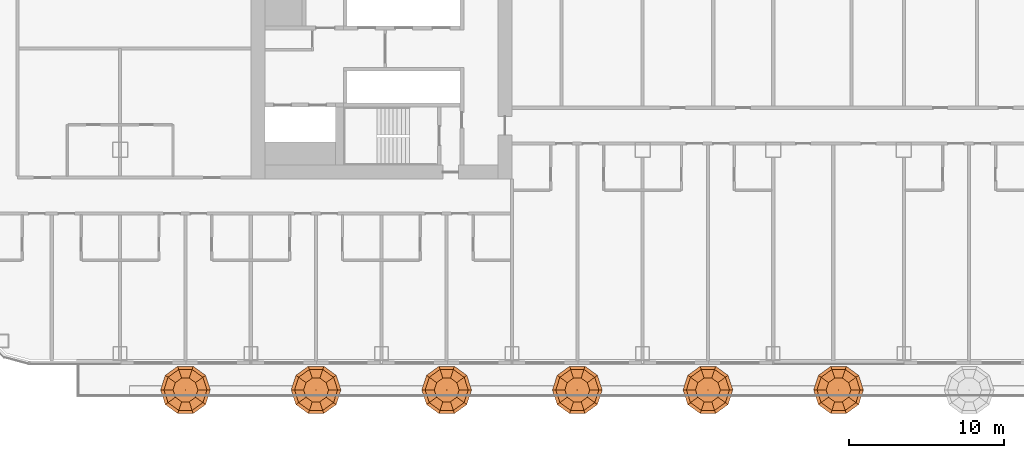
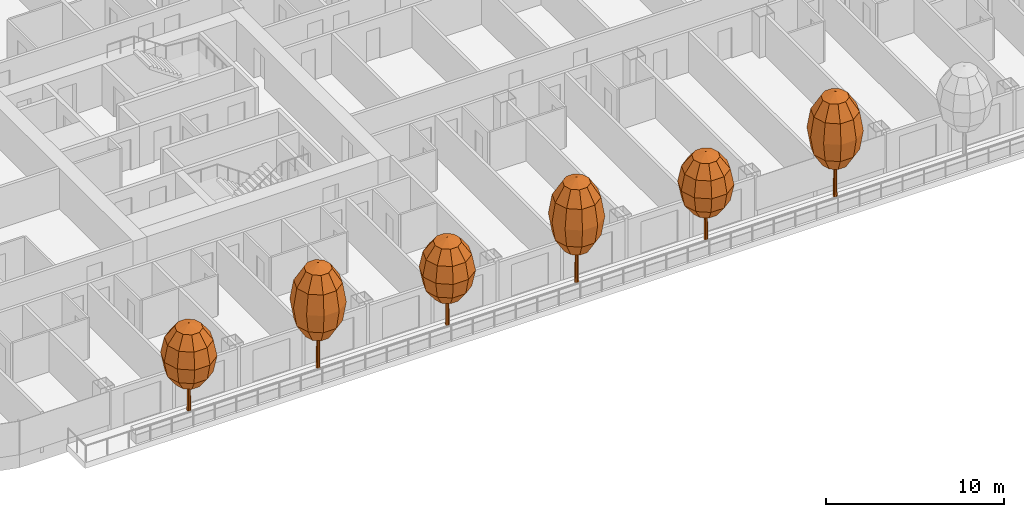
# One storey, part 34 of 37: 6 geographic elements.
"""IFC4 building model written with IfcOpenShell, lengths in metres."""

import ifcopenshell
import ifcopenshell.guid

model = None  # the IFC model being written
_history = None  # IfcOwnerHistory: only IFC2X3 demands one
_inside = {}  # id of a spatial element -> (the spatial element, [elements in it])
_under = {}  # id of a project, library or spatial element -> (it, [spatial elements below it])
_declared = {}  # id of a project -> (the project, [libraries it declares])
_typed = {}  # id of a type object -> (the type object, [elements of that type])
_made_of = {}  # id of a material, layer set ... -> (it, [elements and type objects made of it])


def new_model(schema):
    """Start an empty IFC model of exactly this schema.

    Asked for "IFC4X3", IfcOpenShell would pick the latest addendum, in which some entities
    have other attributes; the version numbers below select the first issue.
    IFC2X3 requires an IfcOwnerHistory on every rooted entity: one is made here for all.
    """
    global model, _history
    if schema == "IFC4X3":
        model = ifcopenshell.file(schema_version=(4, 3, 0, 0))
    else:
        model = ifcopenshell.file(schema=schema)
    _inside.clear()
    _under.clear()
    _declared.clear()
    _typed.clear()
    _made_of.clear()
    _history = None
    if model.schema == "IFC2X3":
        org = make("IfcOrganization", Name="unknown")
        user = make(
            "IfcPersonAndOrganization",
            ThePerson=make("IfcPerson", FamilyName="unknown"),
            TheOrganization=org,
        )
        app = make(
            "IfcApplication",
            ApplicationDeveloper=org,
            Version="unknown",
            ApplicationFullName="unknown",
            ApplicationIdentifier="unknown",
        )
        _history = make(
            "IfcOwnerHistory",
            OwningUser=user,
            OwningApplication=app,
            ChangeAction="ADDED",
            CreationDate=0,
        )
    return model


def make(cls, **values):
    """One entity of the class cls with the attributes given. An attribute that is None is left unset."""
    return model.create_entity(
        cls, **{name: value for name, value in values.items() if value is not None}
    )


def rooted(cls, **values):
    """An entity with a GlobalId (a new one), such as an element, a storey or a relation."""
    return make(cls, GlobalId=ifcopenshell.guid.new(), OwnerHistory=_history, **values)


def si_unit(unit_type, name, prefix=None):
    """IfcSIUnit, for example si_unit("LENGTHUNIT", "METRE", prefix="MILLI")."""
    return make("IfcSIUnit", UnitType=unit_type, Prefix=prefix, Name=name)


def assignment(units):
    """IfcUnitAssignment: the units of a project."""
    return None if units is None else make("IfcUnitAssignment", Units=units)


def point(xyz):
    """IfcCartesianPoint."""
    return None if xyz is None else make("IfcCartesianPoint", Coordinates=xyz)


def direction(xyz):
    """IfcDirection."""
    return None if xyz is None else make("IfcDirection", DirectionRatios=xyz)


def frame(location, z_axis=None, x_axis=None):
    """IfcAxis2Placement3D, a coordinate frame: its origin and axes. An axis left out is left unset."""
    return make(
        "IfcAxis2Placement3D",
        Location=point(location),
        Axis=direction(z_axis),
        RefDirection=direction(x_axis),
    )


def origin():
    """The frame at (0, 0, 0) with its axes left unset."""
    return frame((0.0, 0.0, 0.0))


def place(relative_to, where):
    """IfcLocalPlacement: puts the frame where relative to a parent placement (None: the world)."""
    return make(
        "IfcLocalPlacement", PlacementRelTo=relative_to, RelativePlacement=where
    )


def context(
    kind, dimensions, precision=None, world=None, true_north=None, identifier=None
):
    """IfcGeometricRepresentationContext, for example the 3D "Model" context."""
    return make(
        "IfcGeometricRepresentationContext",
        ContextIdentifier=identifier,
        ContextType=kind,
        CoordinateSpaceDimension=dimensions,
        Precision=precision,
        WorldCoordinateSystem=world,
        TrueNorth=true_north,
    )


def subcontext(parent, identifier, kind, view, scale=None):
    """IfcGeometricRepresentationSubContext, for example "Body" below "Model"."""
    return make(
        "IfcGeometricRepresentationSubContext",
        ContextIdentifier=identifier,
        ContextType=kind,
        ParentContext=parent,
        TargetScale=scale,
        TargetView=view,
    )


def project(units=None, contexts=None):
    """IfcProject with its units and contexts."""
    return rooted(
        "IfcProject",
        Name="project",
        RepresentationContexts=contexts,
        UnitsInContext=assignment(units),
    )


def spatial(cls, under=None, at=None, **own):
    """A site, building, storey or space (cls), placed at a placement, below another one or the project."""
    s = rooted(cls, ObjectPlacement=at, **own)
    if under is not None:
        _under.setdefault(under.id(), (under, []))[1].append(s)
    return s


def point_list(points):
    """IfcCartesianPointList2D or 3D."""
    cls = (
        "IfcCartesianPointList2D" if len(points[0]) == 2 else "IfcCartesianPointList3D"
    )
    return make(cls, CoordList=points)


def triangles(points, corners, closed=None, point_numbers=None):
    """IfcTriangulatedFaceSet: each triangle names its three corners, points numbered from 1."""
    return make(
        "IfcTriangulatedFaceSet",
        Coordinates=point_list(points),
        Closed=closed,
        CoordIndex=corners,
        PnIndex=point_numbers,
    )


def shape(context_of_items, identifier, shape_type, items):
    """IfcShapeRepresentation: the items that make up one representation, for example the "Body"."""
    return make(
        "IfcShapeRepresentation",
        ContextOfItems=context_of_items,
        RepresentationIdentifier=identifier,
        RepresentationType=shape_type,
        Items=items,
    )


def material(Name=None, Category=None):
    """IfcMaterial."""
    return make("IfcMaterial", Name=Name, Category=Category)


def made_of(thing, what):
    """Note that an element or type object is made of a material, layer set ...; save() writes the relation."""
    if what is not None:
        _made_of.setdefault(what.id(), (what, []))[1].append(thing)
    return thing


def type_object(cls, material=None, **own):
    """A type object (cls), such as IfcWallType, which elements share."""
    return made_of(rooted(cls, **own), material)


def element(
    cls,
    number,
    at=None,
    inside=None,
    cuts=None,
    type_object=None,
    material=None,
    context=None,
    identifier="Body",
    shape_type=None,
    held_by="IfcProductDefinitionShape",
    body=None,
    shapes=None,
    **own,
):
    """One element of the class cls, such as IfcWall. Its Tag is "e" and its number.

    at: its placement. inside: the storey or other place that contains it. cuts: it is an
    opening in that element (IfcRelVoidsElement). A single representation is given by context,
    identifier, shape_type and body (its items); several are given by shapes. held_by: the class
    of the entity that holds the representations. save() writes the other relations.
    """
    e = rooted(cls, Tag="e%d" % number, ObjectPlacement=at, **own)
    if body is not None:
        shapes = [shape(context, identifier, shape_type, body)]
    if shapes is not None:
        e.Representation = make(held_by, Representations=shapes)
    if inside is not None:
        _inside.setdefault(inside.id(), (inside, []))[1].append(e)
    if cuts is not None:
        rooted(
            "IfcRelVoidsElement", RelatingBuildingElement=cuts, RelatedOpeningElement=e
        )
    if type_object is not None:
        _typed.setdefault(type_object.id(), (type_object, []))[1].append(e)
    return made_of(e, material)


def aggregate(whole, parts):
    """IfcRelAggregates: a whole, such as a stair, and the parts it consists of."""
    return rooted("IfcRelAggregates", RelatingObject=whole, RelatedObjects=parts)


def save(model, path):
    """Write the relations noted so far, then the file.

    IfcRelAggregates (storeys below a building ...), IfcRelContainedInSpatialStructure (elements
    in a storey), IfcRelDefinesByType, IfcRelAssociatesMaterial and IfcRelDeclares: one each for
    every whole, place, type object, material and project.
    """
    for whole, parts in _under.values():
        aggregate(whole, parts)
    for where, things in _inside.values():
        rooted(
            "IfcRelContainedInSpatialStructure",
            RelatedElements=things,
            RelatingStructure=where,
        )
    for kind, things in _typed.values():
        rooted("IfcRelDefinesByType", RelatedObjects=things, RelatingType=kind)
    for what, things in _made_of.values():
        rooted("IfcRelAssociatesMaterial", RelatedObjects=things, RelatingMaterial=what)
    for by, libraries in _declared.values():
        rooted("IfcRelDeclares", RelatingContext=by, RelatedDefinitions=libraries)
    model.write(path)


model = new_model("IFC4")

# Units and contexts
model_context = context("Model", 3, precision=1e-05, world=origin(), true_north=direction((0.0, 1.0)))
body_context = subcontext(model_context, "Body", "Model", "MODEL_VIEW")
ifc_project = project(units=[si_unit("LENGTHUNIT", "METRE"), si_unit("AREAUNIT", "SQUARE_METRE"), si_unit("VOLUMEUNIT", "CUBIC_METRE"), si_unit("PLANEANGLEUNIT", "RADIAN"), si_unit("MASSUNIT", "GRAM", prefix="KILO")], contexts=[model_context])

# Site, building, storey
site_placement = place(None, origin())
site = spatial("IfcSite", under=ifc_project, at=site_placement, CompositionType="ELEMENT")
building_placement = place(site_placement, origin())
building = spatial("IfcBuilding", under=site, at=building_placement, Name="Hakoniwa Tower and Hamabe Station Hall", CompositionType="ELEMENT")
storey_placement = place(building_placement, frame((0.0, 0.0, 39.0)))
storey = spatial("IfcBuildingStorey", under=building, at=storey_placement, Name="L10", CompositionType="ELEMENT", Elevation=39.0)

# Geographic elements
ifc_material_1 = material(Name="Tree foliage")
geographic_element_type_1 = type_object("IfcGeographicElementType", Name="Japanese maple 7.2 m", PredefinedType="USERDEFINED", material=ifc_material_1)
geographic_element_1_placement = place(storey_placement, frame((-29.39990234375, -21.949951171875, 0.89990234375)))
element("IfcGeographicElement", 1, at=geographic_element_1_placement, inside=storey, type_object=geographic_element_type_1, Name="Japanese maple 7-2 m", ObjectType="TREE", PredefinedType="USERDEFINED", context=body_context, shape_type="Tessellation", body=[
    triangles([(0.125, 0.0, 0.0), (0.08837890625, 0.08837890625, 0.0), (0.0, 0.125, 0.0), (-0.08837890625, 0.08837890625, 0.0), (-0.125, 0.0, 0.0), (-0.08837890625, -0.08837890625, 0.0), (0.0, -0.125, 0.0), (0.08837890625, -0.08837890625, 0.0), (0.074951171875, 0.0, 4.348876953125), (0.052978515625, 0.052978515625, 4.348876953125), (0.0, 0.074951171875, 4.348876953125), (-0.052978515625, 0.052978515625, 4.348876953125), (-0.074951171875, 0.0, 4.348876953125), (-0.052978515625, -0.052978515625, 4.348876953125), (0.0, -0.074951171875, 4.348876953125), (0.052978515625, -0.052978515625, 4.348876953125), (0.0, 0.0, 0.0), (0.0, 0.0, 4.348876953125)], [[1, 2, 10], [1, 10, 9], [17, 2, 1], [18, 9, 10], [2, 3, 11], [2, 11, 10], [17, 3, 2], [18, 10, 11], [3, 4, 12], [3, 12, 11], [17, 4, 3], [18, 11, 12], [4, 5, 13], [4, 13, 12], [17, 5, 4], [18, 12, 13], [5, 6, 14], [5, 14, 13], [17, 6, 5], [18, 13, 14], [6, 7, 15], [6, 15, 14], [17, 7, 6], [18, 14, 15], [7, 8, 16], [7, 16, 15], [17, 8, 7], [18, 15, 16], [8, 1, 9], [8, 9, 16], [17, 1, 8], [18, 16, 9]], closed=True),
    triangles([(0.0, 0.0, 2.015869140625), (0.800048828125, 0.0, 2.36328125), (0.647216796875, 0.47021484375, 2.36328125), (0.247314453125, 0.7607421875, 2.36328125), (-0.247314453125, 0.7607421875, 2.36328125), (-0.647216796875, 0.47021484375, 2.36328125), (-0.800048828125, 0.0, 2.36328125), (-0.647216796875, -0.47021484375, 2.36328125), (-0.247314453125, -0.7607421875, 2.36328125), (0.247314453125, -0.7607421875, 2.36328125), (0.647216796875, -0.47021484375, 2.36328125), (1.385498046875, 0.0, 3.31201171875), (1.12109375, 0.814453125, 3.31201171875), (0.42822265625, 1.31787109375, 3.31201171875), (-0.42822265625, 1.31787109375, 3.31201171875), (-1.12109375, 0.814453125, 3.31201171875), (-1.385498046875, 0.0, 3.31201171875), (-1.12109375, -0.814453125, 3.31201171875), (-0.42822265625, -1.31787109375, 3.31201171875), (0.42822265625, -1.31787109375, 3.31201171875), (1.12109375, -0.814453125, 3.31201171875), (1.60009765625, 0.0, 4.60791015625), (1.29443359375, 0.9404296875, 4.60791015625), (0.494384765625, 1.521728515625, 4.60791015625), (-0.494384765625, 1.521728515625, 4.60791015625), (-1.29443359375, 0.9404296875, 4.60791015625), (-1.60009765625, 0.0, 4.60791015625), (-1.29443359375, -0.9404296875, 4.60791015625), (-0.494384765625, -1.521728515625, 4.60791015625), (0.494384765625, -1.521728515625, 4.60791015625), (1.29443359375, -0.9404296875, 4.60791015625), (1.385498046875, 0.0, 5.904052734375), (1.12109375, 0.814453125, 5.904052734375), (0.42822265625, 1.31787109375, 5.904052734375), (-0.42822265625, 1.31787109375, 5.904052734375), (-1.12109375, 0.814453125, 5.904052734375), (-1.385498046875, 0.0, 5.904052734375), (-1.12109375, -0.814453125, 5.904052734375), (-0.42822265625, -1.31787109375, 5.904052734375), (0.42822265625, -1.31787109375, 5.904052734375), (1.12109375, -0.814453125, 5.904052734375), (0.800048828125, 0.0, 6.852783203125), (0.647216796875, 0.47021484375, 6.852783203125), (0.247314453125, 0.7607421875, 6.852783203125), (-0.247314453125, 0.7607421875, 6.852783203125), (-0.647216796875, 0.47021484375, 6.852783203125), (-0.800048828125, 0.0, 6.852783203125), (-0.647216796875, -0.47021484375, 6.852783203125), (-0.247314453125, -0.7607421875, 6.852783203125), (0.247314453125, -0.7607421875, 6.852783203125), (0.647216796875, -0.47021484375, 6.852783203125), (0.0, 0.0, 7.199951171875)], [[1, 3, 2], [1, 4, 3], [1, 5, 4], [1, 6, 5], [1, 7, 6], [1, 8, 7], [1, 9, 8], [1, 10, 9], [1, 11, 10], [1, 2, 11], [2, 3, 13], [2, 13, 12], [3, 4, 14], [3, 14, 13], [4, 5, 15], [4, 15, 14], [5, 6, 16], [5, 16, 15], [6, 7, 17], [6, 17, 16], [7, 8, 18], [7, 18, 17], [8, 9, 19], [8, 19, 18], [9, 10, 20], [9, 20, 19], [10, 11, 21], [10, 21, 20], [11, 2, 12], [11, 12, 21], [12, 13, 23], [12, 23, 22], [13, 14, 24], [13, 24, 23], [14, 15, 25], [14, 25, 24], [15, 16, 26], [15, 26, 25], [16, 17, 27], [16, 27, 26], [17, 18, 28], [17, 28, 27], [18, 19, 29], [18, 29, 28], [19, 20, 30], [19, 30, 29], [20, 21, 31], [20, 31, 30], [21, 12, 22], [21, 22, 31], [22, 23, 33], [22, 33, 32], [23, 24, 34], [23, 34, 33], [24, 25, 35], [24, 35, 34], [25, 26, 36], [25, 36, 35], [26, 27, 37], [26, 37, 36], [27, 28, 38], [27, 38, 37], [28, 29, 39], [28, 39, 38], [29, 30, 40], [29, 40, 39], [30, 31, 41], [30, 41, 40], [31, 22, 32], [31, 32, 41], [32, 33, 43], [32, 43, 42], [33, 34, 44], [33, 44, 43], [34, 35, 45], [34, 45, 44], [35, 36, 46], [35, 46, 45], [36, 37, 47], [36, 47, 46], [37, 38, 48], [37, 48, 47], [38, 39, 49], [38, 49, 48], [39, 40, 50], [39, 50, 49], [40, 41, 51], [40, 51, 50], [41, 32, 42], [41, 42, 51], [52, 42, 43], [52, 43, 44], [52, 44, 45], [52, 45, 46], [52, 46, 47], [52, 47, 48], [52, 48, 49], [52, 49, 50], [52, 50, 51], [52, 51, 42]], closed=True),
])
geographic_element_2_placement = place(storey_placement, frame((-12.60009765625, -21.949951171875, 0.89990234375)))
element("IfcGeographicElement", 2, at=geographic_element_2_placement, inside=storey, type_object=geographic_element_type_1, Name="Japanese maple 7-2 m", ObjectType="TREE", PredefinedType="USERDEFINED", context=body_context, shape_type="Tessellation", body=[
    triangles([(0.125, 0.0, 0.0), (0.08837890625, 0.08837890625, 0.0), (0.0, 0.125, 0.0), (-0.08837890625, 0.08837890625, 0.0), (-0.125, 0.0, 0.0), (-0.08837890625, -0.08837890625, 0.0), (0.0, -0.125, 0.0), (0.08837890625, -0.08837890625, 0.0), (0.074951171875, 0.0, 4.348876953125), (0.052978515625, 0.052978515625, 4.348876953125), (0.0, 0.074951171875, 4.348876953125), (-0.052978515625, 0.052978515625, 4.348876953125), (-0.074951171875, 0.0, 4.348876953125), (-0.052978515625, -0.052978515625, 4.348876953125), (0.0, -0.074951171875, 4.348876953125), (0.052978515625, -0.052978515625, 4.348876953125), (0.0, 0.0, 0.0), (0.0, 0.0, 4.348876953125)], [[1, 2, 10], [1, 10, 9], [17, 2, 1], [18, 9, 10], [2, 3, 11], [2, 11, 10], [17, 3, 2], [18, 10, 11], [3, 4, 12], [3, 12, 11], [17, 4, 3], [18, 11, 12], [4, 5, 13], [4, 13, 12], [17, 5, 4], [18, 12, 13], [5, 6, 14], [5, 14, 13], [17, 6, 5], [18, 13, 14], [6, 7, 15], [6, 15, 14], [17, 7, 6], [18, 14, 15], [7, 8, 16], [7, 16, 15], [17, 8, 7], [18, 15, 16], [8, 1, 9], [8, 9, 16], [17, 1, 8], [18, 16, 9]], closed=True),
    triangles([(0.0, 0.0, 2.015869140625), (0.800048828125, 0.0, 2.36328125), (0.647216796875, 0.47021484375, 2.36328125), (0.247314453125, 0.7607421875, 2.36328125), (-0.247314453125, 0.7607421875, 2.36328125), (-0.647216796875, 0.47021484375, 2.36328125), (-0.800048828125, 0.0, 2.36328125), (-0.647216796875, -0.47021484375, 2.36328125), (-0.247314453125, -0.7607421875, 2.36328125), (0.247314453125, -0.7607421875, 2.36328125), (0.647216796875, -0.47021484375, 2.36328125), (1.385498046875, 0.0, 3.31201171875), (1.12109375, 0.814453125, 3.31201171875), (0.42822265625, 1.31787109375, 3.31201171875), (-0.42822265625, 1.31787109375, 3.31201171875), (-1.12109375, 0.814453125, 3.31201171875), (-1.385498046875, 0.0, 3.31201171875), (-1.12109375, -0.814453125, 3.31201171875), (-0.42822265625, -1.31787109375, 3.31201171875), (0.42822265625, -1.31787109375, 3.31201171875), (1.12109375, -0.814453125, 3.31201171875), (1.60009765625, 0.0, 4.60791015625), (1.29443359375, 0.9404296875, 4.60791015625), (0.494384765625, 1.521728515625, 4.60791015625), (-0.494384765625, 1.521728515625, 4.60791015625), (-1.29443359375, 0.9404296875, 4.60791015625), (-1.60009765625, 0.0, 4.60791015625), (-1.29443359375, -0.9404296875, 4.60791015625), (-0.494384765625, -1.521728515625, 4.60791015625), (0.494384765625, -1.521728515625, 4.60791015625), (1.29443359375, -0.9404296875, 4.60791015625), (1.385498046875, 0.0, 5.904052734375), (1.12109375, 0.814453125, 5.904052734375), (0.42822265625, 1.31787109375, 5.904052734375), (-0.42822265625, 1.31787109375, 5.904052734375), (-1.12109375, 0.814453125, 5.904052734375), (-1.385498046875, 0.0, 5.904052734375), (-1.12109375, -0.814453125, 5.904052734375), (-0.42822265625, -1.31787109375, 5.904052734375), (0.42822265625, -1.31787109375, 5.904052734375), (1.12109375, -0.814453125, 5.904052734375), (0.800048828125, 0.0, 6.852783203125), (0.647216796875, 0.47021484375, 6.852783203125), (0.247314453125, 0.7607421875, 6.852783203125), (-0.247314453125, 0.7607421875, 6.852783203125), (-0.647216796875, 0.47021484375, 6.852783203125), (-0.800048828125, 0.0, 6.852783203125), (-0.647216796875, -0.47021484375, 6.852783203125), (-0.247314453125, -0.7607421875, 6.852783203125), (0.247314453125, -0.7607421875, 6.852783203125), (0.647216796875, -0.47021484375, 6.852783203125), (0.0, 0.0, 7.199951171875)], [[1, 3, 2], [1, 4, 3], [1, 5, 4], [1, 6, 5], [1, 7, 6], [1, 8, 7], [1, 9, 8], [1, 10, 9], [1, 11, 10], [1, 2, 11], [2, 3, 13], [2, 13, 12], [3, 4, 14], [3, 14, 13], [4, 5, 15], [4, 15, 14], [5, 6, 16], [5, 16, 15], [6, 7, 17], [6, 17, 16], [7, 8, 18], [7, 18, 17], [8, 9, 19], [8, 19, 18], [9, 10, 20], [9, 20, 19], [10, 11, 21], [10, 21, 20], [11, 2, 12], [11, 12, 21], [12, 13, 23], [12, 23, 22], [13, 14, 24], [13, 24, 23], [14, 15, 25], [14, 25, 24], [15, 16, 26], [15, 26, 25], [16, 17, 27], [16, 27, 26], [17, 18, 28], [17, 28, 27], [18, 19, 29], [18, 29, 28], [19, 20, 30], [19, 30, 29], [20, 21, 31], [20, 31, 30], [21, 12, 22], [21, 22, 31], [22, 23, 33], [22, 33, 32], [23, 24, 34], [23, 34, 33], [24, 25, 35], [24, 35, 34], [25, 26, 36], [25, 36, 35], [26, 27, 37], [26, 37, 36], [27, 28, 38], [27, 38, 37], [28, 29, 39], [28, 39, 38], [29, 30, 40], [29, 40, 39], [30, 31, 41], [30, 41, 40], [31, 22, 32], [31, 32, 41], [32, 33, 43], [32, 43, 42], [33, 34, 44], [33, 44, 43], [34, 35, 45], [34, 45, 44], [35, 36, 46], [35, 46, 45], [36, 37, 47], [36, 47, 46], [37, 38, 48], [37, 48, 47], [38, 39, 49], [38, 49, 48], [39, 40, 50], [39, 50, 49], [40, 41, 51], [40, 51, 50], [41, 32, 42], [41, 42, 51], [52, 42, 43], [52, 43, 44], [52, 44, 45], [52, 45, 46], [52, 46, 47], [52, 47, 48], [52, 48, 49], [52, 49, 50], [52, 50, 51], [52, 51, 42]], closed=True),
])
geographic_element_3_placement = place(storey_placement, frame((4.199951171875, -21.949951171875, 0.89990234375)))
element("IfcGeographicElement", 3, at=geographic_element_3_placement, inside=storey, type_object=geographic_element_type_1, Name="Japanese maple 7-2 m", ObjectType="TREE", PredefinedType="USERDEFINED", context=body_context, shape_type="Tessellation", body=[
    triangles([(0.125, 0.0, 0.0), (0.08837890625, 0.08837890625, 0.0), (0.0, 0.125, 0.0), (-0.08837890625, 0.08837890625, 0.0), (-0.125, 0.0, 0.0), (-0.08837890625, -0.08837890625, 0.0), (0.0, -0.125, 0.0), (0.08837890625, -0.08837890625, 0.0), (0.074951171875, 0.0, 4.348876953125), (0.052978515625, 0.052978515625, 4.348876953125), (0.0, 0.074951171875, 4.348876953125), (-0.052978515625, 0.052978515625, 4.348876953125), (-0.074951171875, 0.0, 4.348876953125), (-0.052978515625, -0.052978515625, 4.348876953125), (0.0, -0.074951171875, 4.348876953125), (0.052978515625, -0.052978515625, 4.348876953125), (0.0, 0.0, 0.0), (0.0, 0.0, 4.348876953125)], [[1, 2, 10], [1, 10, 9], [17, 2, 1], [18, 9, 10], [2, 3, 11], [2, 11, 10], [17, 3, 2], [18, 10, 11], [3, 4, 12], [3, 12, 11], [17, 4, 3], [18, 11, 12], [4, 5, 13], [4, 13, 12], [17, 5, 4], [18, 12, 13], [5, 6, 14], [5, 14, 13], [17, 6, 5], [18, 13, 14], [6, 7, 15], [6, 15, 14], [17, 7, 6], [18, 14, 15], [7, 8, 16], [7, 16, 15], [17, 8, 7], [18, 15, 16], [8, 1, 9], [8, 9, 16], [17, 1, 8], [18, 16, 9]], closed=True),
    triangles([(0.0, 0.0, 2.015869140625), (0.800048828125, 0.0, 2.36328125), (0.647216796875, 0.47021484375, 2.36328125), (0.247314453125, 0.7607421875, 2.36328125), (-0.247314453125, 0.7607421875, 2.36328125), (-0.647216796875, 0.47021484375, 2.36328125), (-0.800048828125, 0.0, 2.36328125), (-0.647216796875, -0.47021484375, 2.36328125), (-0.247314453125, -0.7607421875, 2.36328125), (0.247314453125, -0.7607421875, 2.36328125), (0.647216796875, -0.47021484375, 2.36328125), (1.385498046875, 0.0, 3.31201171875), (1.12109375, 0.814453125, 3.31201171875), (0.42822265625, 1.31787109375, 3.31201171875), (-0.42822265625, 1.31787109375, 3.31201171875), (-1.12109375, 0.814453125, 3.31201171875), (-1.385498046875, 0.0, 3.31201171875), (-1.12109375, -0.814453125, 3.31201171875), (-0.42822265625, -1.31787109375, 3.31201171875), (0.42822265625, -1.31787109375, 3.31201171875), (1.12109375, -0.814453125, 3.31201171875), (1.60009765625, 0.0, 4.60791015625), (1.29443359375, 0.9404296875, 4.60791015625), (0.494384765625, 1.521728515625, 4.60791015625), (-0.494384765625, 1.521728515625, 4.60791015625), (-1.29443359375, 0.9404296875, 4.60791015625), (-1.60009765625, 0.0, 4.60791015625), (-1.29443359375, -0.9404296875, 4.60791015625), (-0.494384765625, -1.521728515625, 4.60791015625), (0.494384765625, -1.521728515625, 4.60791015625), (1.29443359375, -0.9404296875, 4.60791015625), (1.385498046875, 0.0, 5.904052734375), (1.12109375, 0.814453125, 5.904052734375), (0.42822265625, 1.31787109375, 5.904052734375), (-0.42822265625, 1.31787109375, 5.904052734375), (-1.12109375, 0.814453125, 5.904052734375), (-1.385498046875, 0.0, 5.904052734375), (-1.12109375, -0.814453125, 5.904052734375), (-0.42822265625, -1.31787109375, 5.904052734375), (0.42822265625, -1.31787109375, 5.904052734375), (1.12109375, -0.814453125, 5.904052734375), (0.800048828125, 0.0, 6.852783203125), (0.647216796875, 0.47021484375, 6.852783203125), (0.247314453125, 0.7607421875, 6.852783203125), (-0.247314453125, 0.7607421875, 6.852783203125), (-0.647216796875, 0.47021484375, 6.852783203125), (-0.800048828125, 0.0, 6.852783203125), (-0.647216796875, -0.47021484375, 6.852783203125), (-0.247314453125, -0.7607421875, 6.852783203125), (0.247314453125, -0.7607421875, 6.852783203125), (0.647216796875, -0.47021484375, 6.852783203125), (0.0, 0.0, 7.199951171875)], [[1, 3, 2], [1, 4, 3], [1, 5, 4], [1, 6, 5], [1, 7, 6], [1, 8, 7], [1, 9, 8], [1, 10, 9], [1, 11, 10], [1, 2, 11], [2, 3, 13], [2, 13, 12], [3, 4, 14], [3, 14, 13], [4, 5, 15], [4, 15, 14], [5, 6, 16], [5, 16, 15], [6, 7, 17], [6, 17, 16], [7, 8, 18], [7, 18, 17], [8, 9, 19], [8, 19, 18], [9, 10, 20], [9, 20, 19], [10, 11, 21], [10, 21, 20], [11, 2, 12], [11, 12, 21], [12, 13, 23], [12, 23, 22], [13, 14, 24], [13, 24, 23], [14, 15, 25], [14, 25, 24], [15, 16, 26], [15, 26, 25], [16, 17, 27], [16, 27, 26], [17, 18, 28], [17, 28, 27], [18, 19, 29], [18, 29, 28], [19, 20, 30], [19, 30, 29], [20, 21, 31], [20, 31, 30], [21, 12, 22], [21, 22, 31], [22, 23, 33], [22, 33, 32], [23, 24, 34], [23, 34, 33], [24, 25, 35], [24, 35, 34], [25, 26, 36], [25, 36, 35], [26, 27, 37], [26, 37, 36], [27, 28, 38], [27, 38, 37], [28, 29, 39], [28, 39, 38], [29, 30, 40], [29, 40, 39], [30, 31, 41], [30, 41, 40], [31, 22, 32], [31, 32, 41], [32, 33, 43], [32, 43, 42], [33, 34, 44], [33, 44, 43], [34, 35, 45], [34, 45, 44], [35, 36, 46], [35, 46, 45], [36, 37, 47], [36, 47, 46], [37, 38, 48], [37, 48, 47], [38, 39, 49], [38, 49, 48], [39, 40, 50], [39, 50, 49], [40, 41, 51], [40, 51, 50], [41, 32, 42], [41, 42, 51], [52, 42, 43], [52, 43, 44], [52, 44, 45], [52, 45, 46], [52, 46, 47], [52, 47, 48], [52, 48, 49], [52, 49, 50], [52, 50, 51], [52, 51, 42]], closed=True),
])
ifc_material_2 = material(Name="Tree foliage")
geographic_element_type_2 = type_object("IfcGeographicElementType", Name="Osmanthus 6.0 m", PredefinedType="USERDEFINED", material=ifc_material_2)
geographic_element_4_placement = place(storey_placement, frame((-37.800048828125, -21.949951171875, 0.89990234375)))
element("IfcGeographicElement", 4, at=geographic_element_4_placement, inside=storey, type_object=geographic_element_type_2, Name="Osmanthus 6-0 m", ObjectType="TREE", PredefinedType="USERDEFINED", context=body_context, shape_type="Tessellation", body=[
    triangles([(0.125, 0.0, 0.0), (0.08837890625, 0.08837890625, 0.0), (0.0, 0.125, 0.0), (-0.08837890625, 0.08837890625, 0.0), (-0.125, 0.0, 0.0), (-0.08837890625, -0.08837890625, 0.0), (0.0, -0.125, 0.0), (0.08837890625, -0.08837890625, 0.0), (0.074951171875, 0.0, 3.6240234375), (0.052978515625, 0.052978515625, 3.6240234375), (0.0, 0.074951171875, 3.6240234375), (-0.052978515625, 0.052978515625, 3.6240234375), (-0.074951171875, 0.0, 3.6240234375), (-0.052978515625, -0.052978515625, 3.6240234375), (0.0, -0.074951171875, 3.6240234375), (0.052978515625, -0.052978515625, 3.6240234375), (0.0, 0.0, 0.0), (0.0, 0.0, 3.6240234375)], [[1, 2, 10], [1, 10, 9], [17, 2, 1], [18, 9, 10], [2, 3, 11], [2, 11, 10], [17, 3, 2], [18, 10, 11], [3, 4, 12], [3, 12, 11], [17, 4, 3], [18, 11, 12], [4, 5, 13], [4, 13, 12], [17, 5, 4], [18, 12, 13], [5, 6, 14], [5, 14, 13], [17, 6, 5], [18, 13, 14], [6, 7, 15], [6, 15, 14], [17, 7, 6], [18, 14, 15], [7, 8, 16], [7, 16, 15], [17, 8, 7], [18, 15, 16], [8, 1, 9], [8, 9, 16], [17, 1, 8], [18, 16, 9]], closed=True),
    triangles([(0.0, 0.0, 1.679931640625), (0.800048828125, 0.0, 1.969482421875), (0.647216796875, 0.47021484375, 1.969482421875), (0.247314453125, 0.7607421875, 1.969482421875), (-0.247314453125, 0.7607421875, 1.969482421875), (-0.647216796875, 0.47021484375, 1.969482421875), (-0.800048828125, 0.0, 1.969482421875), (-0.647216796875, -0.47021484375, 1.969482421875), (-0.247314453125, -0.7607421875, 1.969482421875), (0.247314453125, -0.7607421875, 1.969482421875), (0.647216796875, -0.47021484375, 1.969482421875), (1.385498046875, 0.0, 2.760009765625), (1.12109375, 0.814453125, 2.760009765625), (0.42822265625, 1.31787109375, 2.760009765625), (-0.42822265625, 1.31787109375, 2.760009765625), (-1.12109375, 0.814453125, 2.760009765625), (-1.385498046875, 0.0, 2.760009765625), (-1.12109375, -0.814453125, 2.760009765625), (-0.42822265625, -1.31787109375, 2.760009765625), (0.42822265625, -1.31787109375, 2.760009765625), (1.12109375, -0.814453125, 2.760009765625), (1.60009765625, 0.0, 3.840087890625), (1.29443359375, 0.9404296875, 3.840087890625), (0.494384765625, 1.521728515625, 3.840087890625), (-0.494384765625, 1.521728515625, 3.840087890625), (-1.29443359375, 0.9404296875, 3.840087890625), (-1.60009765625, 0.0, 3.840087890625), (-1.29443359375, -0.9404296875, 3.840087890625), (-0.494384765625, -1.521728515625, 3.840087890625), (0.494384765625, -1.521728515625, 3.840087890625), (1.29443359375, -0.9404296875, 3.840087890625), (1.385498046875, 0.0, 4.919921875), (1.12109375, 0.814453125, 4.919921875), (0.42822265625, 1.31787109375, 4.919921875), (-0.42822265625, 1.31787109375, 4.919921875), (-1.12109375, 0.814453125, 4.919921875), (-1.385498046875, 0.0, 4.919921875), (-1.12109375, -0.814453125, 4.919921875), (-0.42822265625, -1.31787109375, 4.919921875), (0.42822265625, -1.31787109375, 4.919921875), (1.12109375, -0.814453125, 4.919921875), (0.800048828125, 0.0, 5.710693359375), (0.647216796875, 0.47021484375, 5.710693359375), (0.247314453125, 0.7607421875, 5.710693359375), (-0.247314453125, 0.7607421875, 5.710693359375), (-0.647216796875, 0.47021484375, 5.710693359375), (-0.800048828125, 0.0, 5.710693359375), (-0.647216796875, -0.47021484375, 5.710693359375), (-0.247314453125, -0.7607421875, 5.710693359375), (0.247314453125, -0.7607421875, 5.710693359375), (0.647216796875, -0.47021484375, 5.710693359375), (0.0, 0.0, 6.0)], [[1, 3, 2], [1, 4, 3], [1, 5, 4], [1, 6, 5], [1, 7, 6], [1, 8, 7], [1, 9, 8], [1, 10, 9], [1, 11, 10], [1, 2, 11], [2, 3, 13], [2, 13, 12], [3, 4, 14], [3, 14, 13], [4, 5, 15], [4, 15, 14], [5, 6, 16], [5, 16, 15], [6, 7, 17], [6, 17, 16], [7, 8, 18], [7, 18, 17], [8, 9, 19], [8, 19, 18], [9, 10, 20], [9, 20, 19], [10, 11, 21], [10, 21, 20], [11, 2, 12], [11, 12, 21], [12, 13, 23], [12, 23, 22], [13, 14, 24], [13, 24, 23], [14, 15, 25], [14, 25, 24], [15, 16, 26], [15, 26, 25], [16, 17, 27], [16, 27, 26], [17, 18, 28], [17, 28, 27], [18, 19, 29], [18, 29, 28], [19, 20, 30], [19, 30, 29], [20, 21, 31], [20, 31, 30], [21, 12, 22], [21, 22, 31], [22, 23, 33], [22, 33, 32], [23, 24, 34], [23, 34, 33], [24, 25, 35], [24, 35, 34], [25, 26, 36], [25, 36, 35], [26, 27, 37], [26, 37, 36], [27, 28, 38], [27, 38, 37], [28, 29, 39], [28, 39, 38], [29, 30, 40], [29, 40, 39], [30, 31, 41], [30, 41, 40], [31, 22, 32], [31, 32, 41], [32, 33, 43], [32, 43, 42], [33, 34, 44], [33, 44, 43], [34, 35, 45], [34, 45, 44], [35, 36, 46], [35, 46, 45], [36, 37, 47], [36, 47, 46], [37, 38, 48], [37, 48, 47], [38, 39, 49], [38, 49, 48], [39, 40, 50], [39, 50, 49], [40, 41, 51], [40, 51, 50], [41, 32, 42], [41, 42, 51], [52, 42, 43], [52, 43, 44], [52, 44, 45], [52, 45, 46], [52, 46, 47], [52, 47, 48], [52, 48, 49], [52, 49, 50], [52, 50, 51], [52, 51, 42]], closed=True),
])
geographic_element_5_placement = place(storey_placement, frame((-21.0, -21.949951171875, 0.89990234375)))
element("IfcGeographicElement", 5, at=geographic_element_5_placement, inside=storey, type_object=geographic_element_type_2, Name="Osmanthus 6-0 m", ObjectType="TREE", PredefinedType="USERDEFINED", context=body_context, shape_type="Tessellation", body=[
    triangles([(0.125, 0.0, 0.0), (0.08837890625, 0.08837890625, 0.0), (0.0, 0.125, 0.0), (-0.08837890625, 0.08837890625, 0.0), (-0.125, 0.0, 0.0), (-0.08837890625, -0.08837890625, 0.0), (0.0, -0.125, 0.0), (0.08837890625, -0.08837890625, 0.0), (0.074951171875, 0.0, 3.6240234375), (0.052978515625, 0.052978515625, 3.6240234375), (0.0, 0.074951171875, 3.6240234375), (-0.052978515625, 0.052978515625, 3.6240234375), (-0.074951171875, 0.0, 3.6240234375), (-0.052978515625, -0.052978515625, 3.6240234375), (0.0, -0.074951171875, 3.6240234375), (0.052978515625, -0.052978515625, 3.6240234375), (0.0, 0.0, 0.0), (0.0, 0.0, 3.6240234375)], [[1, 2, 10], [1, 10, 9], [17, 2, 1], [18, 9, 10], [2, 3, 11], [2, 11, 10], [17, 3, 2], [18, 10, 11], [3, 4, 12], [3, 12, 11], [17, 4, 3], [18, 11, 12], [4, 5, 13], [4, 13, 12], [17, 5, 4], [18, 12, 13], [5, 6, 14], [5, 14, 13], [17, 6, 5], [18, 13, 14], [6, 7, 15], [6, 15, 14], [17, 7, 6], [18, 14, 15], [7, 8, 16], [7, 16, 15], [17, 8, 7], [18, 15, 16], [8, 1, 9], [8, 9, 16], [17, 1, 8], [18, 16, 9]], closed=True),
    triangles([(0.0, 0.0, 1.679931640625), (0.800048828125, 0.0, 1.969482421875), (0.647216796875, 0.47021484375, 1.969482421875), (0.247314453125, 0.7607421875, 1.969482421875), (-0.247314453125, 0.7607421875, 1.969482421875), (-0.647216796875, 0.47021484375, 1.969482421875), (-0.800048828125, 0.0, 1.969482421875), (-0.647216796875, -0.47021484375, 1.969482421875), (-0.247314453125, -0.7607421875, 1.969482421875), (0.247314453125, -0.7607421875, 1.969482421875), (0.647216796875, -0.47021484375, 1.969482421875), (1.385498046875, 0.0, 2.760009765625), (1.12109375, 0.814453125, 2.760009765625), (0.42822265625, 1.31787109375, 2.760009765625), (-0.42822265625, 1.31787109375, 2.760009765625), (-1.12109375, 0.814453125, 2.760009765625), (-1.385498046875, 0.0, 2.760009765625), (-1.12109375, -0.814453125, 2.760009765625), (-0.42822265625, -1.31787109375, 2.760009765625), (0.42822265625, -1.31787109375, 2.760009765625), (1.12109375, -0.814453125, 2.760009765625), (1.60009765625, 0.0, 3.840087890625), (1.29443359375, 0.9404296875, 3.840087890625), (0.494384765625, 1.521728515625, 3.840087890625), (-0.494384765625, 1.521728515625, 3.840087890625), (-1.29443359375, 0.9404296875, 3.840087890625), (-1.60009765625, 0.0, 3.840087890625), (-1.29443359375, -0.9404296875, 3.840087890625), (-0.494384765625, -1.521728515625, 3.840087890625), (0.494384765625, -1.521728515625, 3.840087890625), (1.29443359375, -0.9404296875, 3.840087890625), (1.385498046875, 0.0, 4.919921875), (1.12109375, 0.814453125, 4.919921875), (0.42822265625, 1.31787109375, 4.919921875), (-0.42822265625, 1.31787109375, 4.919921875), (-1.12109375, 0.814453125, 4.919921875), (-1.385498046875, 0.0, 4.919921875), (-1.12109375, -0.814453125, 4.919921875), (-0.42822265625, -1.31787109375, 4.919921875), (0.42822265625, -1.31787109375, 4.919921875), (1.12109375, -0.814453125, 4.919921875), (0.800048828125, 0.0, 5.710693359375), (0.647216796875, 0.47021484375, 5.710693359375), (0.247314453125, 0.7607421875, 5.710693359375), (-0.247314453125, 0.7607421875, 5.710693359375), (-0.647216796875, 0.47021484375, 5.710693359375), (-0.800048828125, 0.0, 5.710693359375), (-0.647216796875, -0.47021484375, 5.710693359375), (-0.247314453125, -0.7607421875, 5.710693359375), (0.247314453125, -0.7607421875, 5.710693359375), (0.647216796875, -0.47021484375, 5.710693359375), (0.0, 0.0, 6.0)], [[1, 3, 2], [1, 4, 3], [1, 5, 4], [1, 6, 5], [1, 7, 6], [1, 8, 7], [1, 9, 8], [1, 10, 9], [1, 11, 10], [1, 2, 11], [2, 3, 13], [2, 13, 12], [3, 4, 14], [3, 14, 13], [4, 5, 15], [4, 15, 14], [5, 6, 16], [5, 16, 15], [6, 7, 17], [6, 17, 16], [7, 8, 18], [7, 18, 17], [8, 9, 19], [8, 19, 18], [9, 10, 20], [9, 20, 19], [10, 11, 21], [10, 21, 20], [11, 2, 12], [11, 12, 21], [12, 13, 23], [12, 23, 22], [13, 14, 24], [13, 24, 23], [14, 15, 25], [14, 25, 24], [15, 16, 26], [15, 26, 25], [16, 17, 27], [16, 27, 26], [17, 18, 28], [17, 28, 27], [18, 19, 29], [18, 29, 28], [19, 20, 30], [19, 30, 29], [20, 21, 31], [20, 31, 30], [21, 12, 22], [21, 22, 31], [22, 23, 33], [22, 33, 32], [23, 24, 34], [23, 34, 33], [24, 25, 35], [24, 35, 34], [25, 26, 36], [25, 36, 35], [26, 27, 37], [26, 37, 36], [27, 28, 38], [27, 38, 37], [28, 29, 39], [28, 39, 38], [29, 30, 40], [29, 40, 39], [30, 31, 41], [30, 41, 40], [31, 22, 32], [31, 32, 41], [32, 33, 43], [32, 43, 42], [33, 34, 44], [33, 44, 43], [34, 35, 45], [34, 45, 44], [35, 36, 46], [35, 46, 45], [36, 37, 47], [36, 47, 46], [37, 38, 48], [37, 48, 47], [38, 39, 49], [38, 49, 48], [39, 40, 50], [39, 50, 49], [40, 41, 51], [40, 51, 50], [41, 32, 42], [41, 42, 51], [52, 42, 43], [52, 43, 44], [52, 44, 45], [52, 45, 46], [52, 46, 47], [52, 47, 48], [52, 48, 49], [52, 49, 50], [52, 50, 51], [52, 51, 42]], closed=True),
])
geographic_element_6_placement = place(storey_placement, frame((-4.199951171875, -21.949951171875, 0.89990234375)))
element("IfcGeographicElement", 6, at=geographic_element_6_placement, inside=storey, type_object=geographic_element_type_2, Name="Osmanthus 6-0 m", ObjectType="TREE", PredefinedType="USERDEFINED", context=body_context, shape_type="Tessellation", body=[
    triangles([(0.125, 0.0, 0.0), (0.08837890625, 0.08837890625, 0.0), (0.0, 0.125, 0.0), (-0.08837890625, 0.08837890625, 0.0), (-0.125, 0.0, 0.0), (-0.08837890625, -0.08837890625, 0.0), (0.0, -0.125, 0.0), (0.08837890625, -0.08837890625, 0.0), (0.074951171875, 0.0, 3.6240234375), (0.052978515625, 0.052978515625, 3.6240234375), (0.0, 0.074951171875, 3.6240234375), (-0.052978515625, 0.052978515625, 3.6240234375), (-0.074951171875, 0.0, 3.6240234375), (-0.052978515625, -0.052978515625, 3.6240234375), (0.0, -0.074951171875, 3.6240234375), (0.052978515625, -0.052978515625, 3.6240234375), (0.0, 0.0, 0.0), (0.0, 0.0, 3.6240234375)], [[1, 2, 10], [1, 10, 9], [17, 2, 1], [18, 9, 10], [2, 3, 11], [2, 11, 10], [17, 3, 2], [18, 10, 11], [3, 4, 12], [3, 12, 11], [17, 4, 3], [18, 11, 12], [4, 5, 13], [4, 13, 12], [17, 5, 4], [18, 12, 13], [5, 6, 14], [5, 14, 13], [17, 6, 5], [18, 13, 14], [6, 7, 15], [6, 15, 14], [17, 7, 6], [18, 14, 15], [7, 8, 16], [7, 16, 15], [17, 8, 7], [18, 15, 16], [8, 1, 9], [8, 9, 16], [17, 1, 8], [18, 16, 9]], closed=True),
    triangles([(0.0, 0.0, 1.679931640625), (0.800048828125, 0.0, 1.969482421875), (0.647216796875, 0.47021484375, 1.969482421875), (0.247314453125, 0.7607421875, 1.969482421875), (-0.247314453125, 0.7607421875, 1.969482421875), (-0.647216796875, 0.47021484375, 1.969482421875), (-0.800048828125, 0.0, 1.969482421875), (-0.647216796875, -0.47021484375, 1.969482421875), (-0.247314453125, -0.7607421875, 1.969482421875), (0.247314453125, -0.7607421875, 1.969482421875), (0.647216796875, -0.47021484375, 1.969482421875), (1.385498046875, 0.0, 2.760009765625), (1.12109375, 0.814453125, 2.760009765625), (0.42822265625, 1.31787109375, 2.760009765625), (-0.42822265625, 1.31787109375, 2.760009765625), (-1.12109375, 0.814453125, 2.760009765625), (-1.385498046875, 0.0, 2.760009765625), (-1.12109375, -0.814453125, 2.760009765625), (-0.42822265625, -1.31787109375, 2.760009765625), (0.42822265625, -1.31787109375, 2.760009765625), (1.12109375, -0.814453125, 2.760009765625), (1.60009765625, 0.0, 3.840087890625), (1.29443359375, 0.9404296875, 3.840087890625), (0.494384765625, 1.521728515625, 3.840087890625), (-0.494384765625, 1.521728515625, 3.840087890625), (-1.29443359375, 0.9404296875, 3.840087890625), (-1.60009765625, 0.0, 3.840087890625), (-1.29443359375, -0.9404296875, 3.840087890625), (-0.494384765625, -1.521728515625, 3.840087890625), (0.494384765625, -1.521728515625, 3.840087890625), (1.29443359375, -0.9404296875, 3.840087890625), (1.385498046875, 0.0, 4.919921875), (1.12109375, 0.814453125, 4.919921875), (0.42822265625, 1.31787109375, 4.919921875), (-0.42822265625, 1.31787109375, 4.919921875), (-1.12109375, 0.814453125, 4.919921875), (-1.385498046875, 0.0, 4.919921875), (-1.12109375, -0.814453125, 4.919921875), (-0.42822265625, -1.31787109375, 4.919921875), (0.42822265625, -1.31787109375, 4.919921875), (1.12109375, -0.814453125, 4.919921875), (0.800048828125, 0.0, 5.710693359375), (0.647216796875, 0.47021484375, 5.710693359375), (0.247314453125, 0.7607421875, 5.710693359375), (-0.247314453125, 0.7607421875, 5.710693359375), (-0.647216796875, 0.47021484375, 5.710693359375), (-0.800048828125, 0.0, 5.710693359375), (-0.647216796875, -0.47021484375, 5.710693359375), (-0.247314453125, -0.7607421875, 5.710693359375), (0.247314453125, -0.7607421875, 5.710693359375), (0.647216796875, -0.47021484375, 5.710693359375), (0.0, 0.0, 6.0)], [[1, 3, 2], [1, 4, 3], [1, 5, 4], [1, 6, 5], [1, 7, 6], [1, 8, 7], [1, 9, 8], [1, 10, 9], [1, 11, 10], [1, 2, 11], [2, 3, 13], [2, 13, 12], [3, 4, 14], [3, 14, 13], [4, 5, 15], [4, 15, 14], [5, 6, 16], [5, 16, 15], [6, 7, 17], [6, 17, 16], [7, 8, 18], [7, 18, 17], [8, 9, 19], [8, 19, 18], [9, 10, 20], [9, 20, 19], [10, 11, 21], [10, 21, 20], [11, 2, 12], [11, 12, 21], [12, 13, 23], [12, 23, 22], [13, 14, 24], [13, 24, 23], [14, 15, 25], [14, 25, 24], [15, 16, 26], [15, 26, 25], [16, 17, 27], [16, 27, 26], [17, 18, 28], [17, 28, 27], [18, 19, 29], [18, 29, 28], [19, 20, 30], [19, 30, 29], [20, 21, 31], [20, 31, 30], [21, 12, 22], [21, 22, 31], [22, 23, 33], [22, 33, 32], [23, 24, 34], [23, 34, 33], [24, 25, 35], [24, 35, 34], [25, 26, 36], [25, 36, 35], [26, 27, 37], [26, 37, 36], [27, 28, 38], [27, 38, 37], [28, 29, 39], [28, 39, 38], [29, 30, 40], [29, 40, 39], [30, 31, 41], [30, 41, 40], [31, 22, 32], [31, 32, 41], [32, 33, 43], [32, 43, 42], [33, 34, 44], [33, 44, 43], [34, 35, 45], [34, 45, 44], [35, 36, 46], [35, 46, 45], [36, 37, 47], [36, 47, 46], [37, 38, 48], [37, 48, 47], [38, 39, 49], [38, 49, 48], [39, 40, 50], [39, 50, 49], [40, 41, 51], [40, 51, 50], [41, 32, 42], [41, 42, 51], [52, 42, 43], [52, 43, 44], [52, 44, 45], [52, 45, 46], [52, 46, 47], [52, 47, 48], [52, 48, 49], [52, 49, 50], [52, 50, 51], [52, 51, 42]], closed=True),
])

save(model, "model.ifc")
